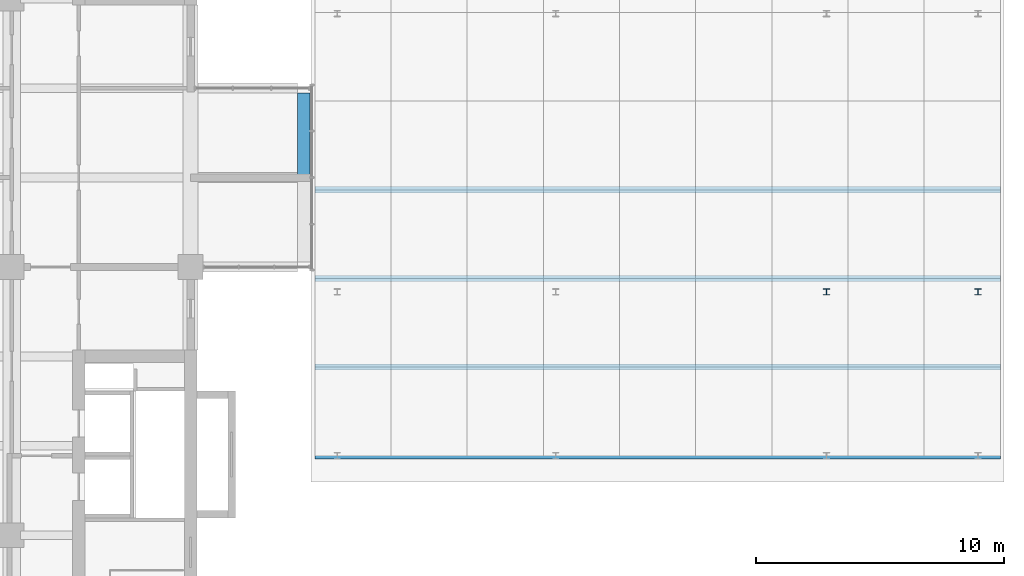
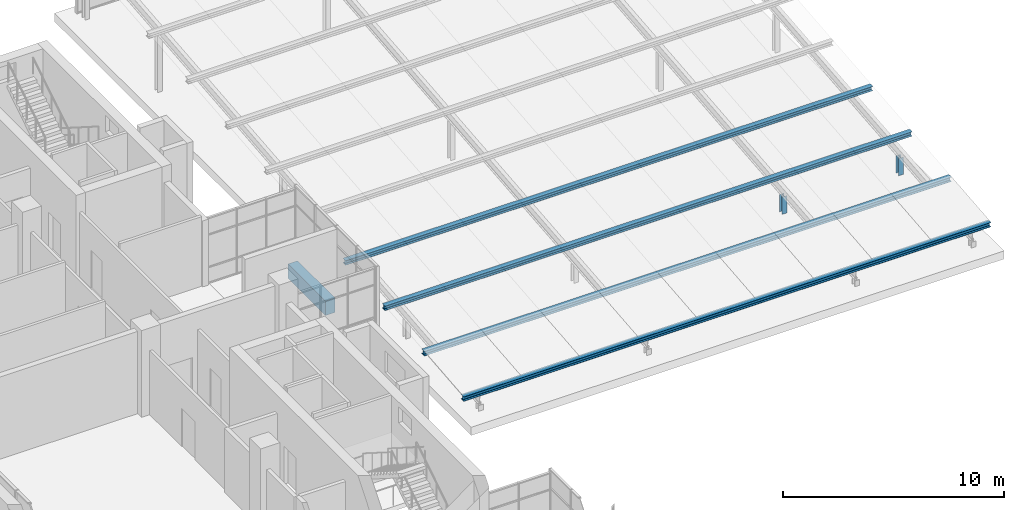
# One storey, part 15 of 44: 6 members, 1 beam.
"""IFC4 building model written with IfcOpenShell, lengths in metres."""

from ifc_helpers import new_model, si_unit, direction, frame, origin, origin_2d, place, context, subcontext, project, spatial, rectangle, i_section, extrude, material, material_profile, profile_set, type_object, element, save


model = new_model("IFC4")

# Units and contexts
model_context = context("Model", 3, precision=1e-05, world=origin(), true_north=direction((0.0, 1.0)))
body_context = subcontext(model_context, "Body", "Model", "MODEL_VIEW")
ifc_project = project(units=[si_unit("LENGTHUNIT", "METRE"), si_unit("AREAUNIT", "SQUARE_METRE"), si_unit("VOLUMEUNIT", "CUBIC_METRE"), si_unit("PLANEANGLEUNIT", "RADIAN"), si_unit("MASSUNIT", "GRAM", prefix="KILO")], contexts=[model_context])

# Site, building, storey
site_placement = place(None, origin())
site = spatial("IfcSite", under=ifc_project, at=site_placement, CompositionType="ELEMENT")
building_placement = place(site_placement, origin())
building = spatial("IfcBuilding", under=site, at=building_placement, Name="Basin Gate Institute", CompositionType="ELEMENT")
storey_placement = place(building_placement, frame((0.0, 0.0, 27.0)))
storey = spatial("IfcBuildingStorey", under=building, at=storey_placement, Name="L05", CompositionType="ELEMENT", Elevation=27.0)

# Beam
ifc_material_1 = material(Name="Concrete 50 MPa", Category="concrete")
ifc_material_profile_1 = material_profile(ifc_material_1, rectangle(XDim=0.5, YDim=0.800048828125, at=origin_2d()), Name="Tip beam TB1 500 x 800")
ifc_profile_set_1 = profile_set([ifc_material_profile_1], Name="Concrete 50 MPa")
beam_type = type_object("IfcBeamType", Name="Tip beam TB1 R120", PredefinedType="SPANDREL", material=ifc_profile_set_1)
beam_placement = place(storey_placement, frame((123.35009765625, 81.89990234375, -0.64990234375), z_axis=(0.0, 1.0, 0.0), x_axis=(-1.0, 0.0, 0.0)))
element("IfcBeam", 1, at=beam_placement, inside=storey, type_object=beam_type, material=ifc_profile_set_1, Name="BEAM/L05/E/TIP/7", PredefinedType="SPANDREL", context=body_context, shape_type="SweptSolid", body=[
    extrude(rectangle(XDim=0.5, YDim=0.800048828125, at=origin_2d()), origin(), (0.0, 0.0, 1.0), 3.400146484375),
])

# Members
ifc_material_2 = material(Name="Structural steel SN490", Category="steel")
ifc_material_profile_2 = material_profile(ifc_material_2, i_section(OverallWidth=0.25, OverallDepth=0.25, WebThickness=0.009033203125, FlangeThickness=0.013916015625, FilletRadius=0.01611328125, at=origin_2d()), Name="H250x250")
ifc_profile_set_2 = profile_set([ifc_material_profile_2], Name="Structural steel SN490")
member_type_1 = type_object("IfcMemberType", Name="Umbrella post TC3 R120", PredefinedType="POST", material=ifc_profile_set_2)
for number, where, z_axis, x_axis, name in (
    (2, (144.39990234375, 77.300048828125, 0.0), (0.0, 0.0, 1.0), (1.0, 0.0, 0.0), "Umbrella roof post 3/2"),
    (3, (150.5, 77.300048828125, 0.0), (0.0, 0.0, 1.0), (1.0, 0.0, 0.0), "Umbrella roof post 4/2"),
):
    element("IfcMember", number, at=place(storey_placement, frame(where, z_axis=z_axis, x_axis=x_axis)), inside=storey, type_object=member_type_1, material=ifc_profile_set_2, Name=name, PredefinedType="POST", context=body_context, shape_type="SweptSolid", body=[
        extrude(i_section(OverallWidth=0.25, OverallDepth=0.25, WebThickness=0.009033203125, FlangeThickness=0.013916015625, FilletRadius=0.01611328125, at=origin_2d()), origin(), (0.0, 0.0, 1.0), 0.9560546875),
    ])
ifc_material_3 = material(Name="Structural steel SN490", Category="steel")
ifc_material_profile_3 = material_profile(ifc_material_3, i_section(OverallWidth=0.25, OverallDepth=0.25, WebThickness=0.009033203125, FlangeThickness=0.013916015625, FilletRadius=0.01611328125, at=origin_2d()), Name="H250x250")
ifc_profile_set_3 = profile_set([ifc_material_profile_3], Name="Structural steel SN490")
member_type_2 = type_object("IfcMemberType", Name="Umbrella purlin TC3 R120", PredefinedType="PURLIN", material=ifc_profile_set_3)
for number, where, z_axis, x_axis, name in (
    (4, (123.800048828125, 70.699951171875, 0.94287109375), (1.0, 0.0, 0.0), (0.0, 1.0, 0.0), "Umbrella roof purlin 1"),
    (5, (123.800048828125, 74.27001953125, 1.289306640625), (1.0, 0.0, 0.0), (0.0, 1.0, 0.0), "Umbrella roof purlin 2"),
    (6, (123.800048828125, 77.840087890625, 1.6357421875), (1.0, 0.0, 0.0), (0.0, 1.0, 0.0), "Umbrella roof purlin 3"),
    (7, (123.800048828125, 81.409912109375, 1.982177734375), (1.0, 0.0, 0.0), (0.0, 1.0, 0.0), "Umbrella roof purlin 4"),
):
    element("IfcMember", number, at=place(storey_placement, frame(where, z_axis=z_axis, x_axis=x_axis)), inside=storey, type_object=member_type_2, material=ifc_profile_set_3, Name=name, PredefinedType="PURLIN", context=body_context, shape_type="SweptSolid", body=[
        extrude(i_section(OverallWidth=0.25, OverallDepth=0.25, WebThickness=0.009033203125, FlangeThickness=0.013916015625, FilletRadius=0.01611328125, at=origin_2d()), origin(), (0.0, 0.0, 1.0), 27.599853515625),
    ])

save(model, "model.ifc")
